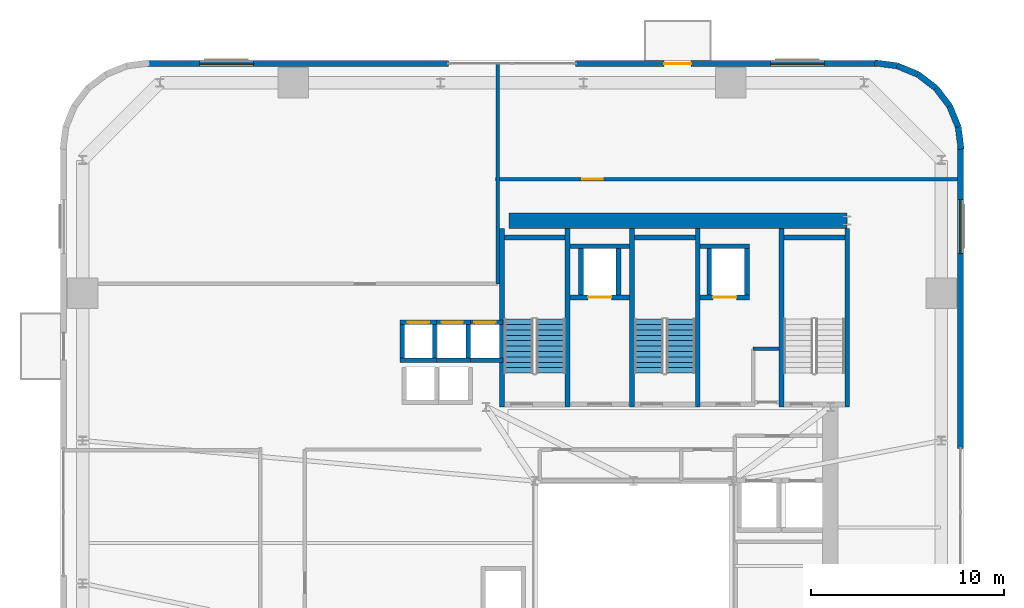
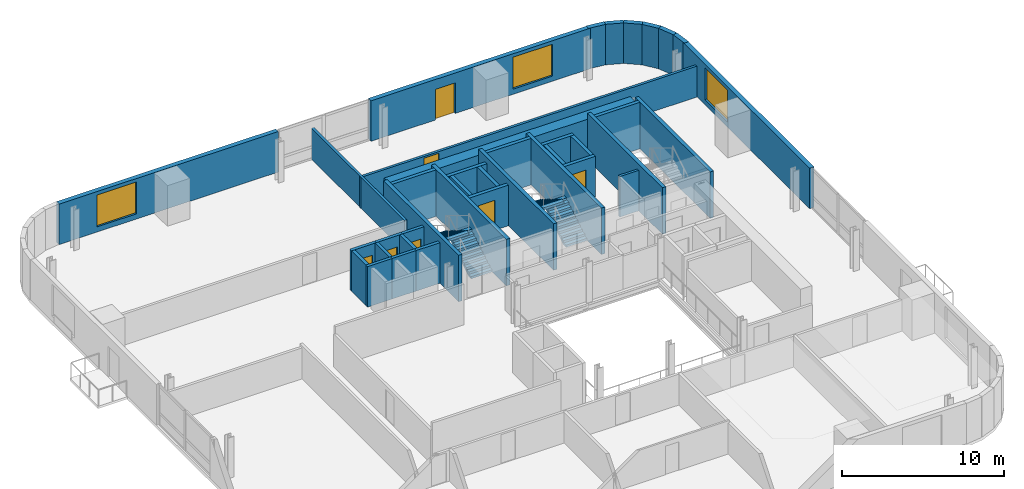
# One storey, part 8 of 14: 39 walls, 7 doors, 4 stair flights, 3 windows, 10 openings, 2 elements without a shape of their own.
"""IFC4 building model written with IfcOpenShell, lengths in metres."""

from ifc_helpers import new_model, si_unit, direction, frame, frame_2d, origin, place, context, subcontext, project, spatial, polyline, rectangle, outline, extrude, source, transform, mapped, material, layer, layer_set, type_object, element, fill, aggregate, save


model = new_model("IFC4")

# Units and contexts
model_context = context("Model", 3, precision=1e-05, world=origin(), true_north=direction((0.0, 1.0)))
body_context = subcontext(model_context, "Body", "Model", "MODEL_VIEW")
ifc_project = project(units=[si_unit("LENGTHUNIT", "METRE"), si_unit("AREAUNIT", "SQUARE_METRE"), si_unit("VOLUMEUNIT", "CUBIC_METRE"), si_unit("PLANEANGLEUNIT", "RADIAN"), si_unit("MASSUNIT", "GRAM", prefix="KILO")], contexts=[model_context])

# Site, building, storey
site_placement = place(None, origin())
site = spatial("IfcSite", under=ifc_project, at=site_placement, CompositionType="ELEMENT")
building_placement = place(site_placement, origin())
building = spatial("IfcBuilding", under=site, at=building_placement, Name="Vardaveli Station Tower", CompositionType="ELEMENT")
storey_placement = place(building_placement, frame((0.0, 0.0, 163.10009765625)))
storey = spatial("IfcBuildingStorey", under=building, at=storey_placement, Name="L42", CompositionType="ELEMENT", Elevation=163.10009765625)

# Wall
ifc_material_1 = material(Name="Concrete C50/60", Category="concrete")
ifc_layer_1 = layer(ifc_material_1, 0.800048828125, Name="Concrete C50/60")
ifc_layer_set_1 = layer_set([ifc_layer_1], Name="Concrete C50/60")
wall_type_1 = type_object("IfcWallType", Name="WAL-CORE-800", PredefinedType="SHEAR", material=ifc_layer_set_1)
shared_shape_1 = source(origin(), body_context, "Body", "SweptSolid", [
    extrude(rectangle(XDim=17.52001953125, YDim=0.800048828125, at=frame_2d((8.760009765625, 0.0))), origin(), (0.0, 0.0, 1.0), 3.0498046875),
])
wall_1_placement = place(storey_placement, frame((29.85009765625, 40.300048828125, 0.0), z_axis=(0.0, 0.0, 1.0), x_axis=(1.0, 0.0, 0.0)))
element("IfcWall", 1, at=wall_1_placement, inside=storey, type_object=wall_type_1, Name="SW-L42-NORTH", PredefinedType="SHEAR", context=body_context, shape_type="MappedRepresentation", body=[
    mapped(shared_shape_1, transform((0.0, 0.0, 0.0), scale=1.0)),
])

# Wall, openings, door, window
ifc_material_2 = material(Name="Precast concrete C45/55", Category="concrete")
ifc_layer_2 = layer(ifc_material_2, 0.320068359375, Name="Precast concrete C45/55")
ifc_layer_set_2 = layer_set([ifc_layer_2], Name="Precast concrete C45/55")
wall_type_2 = type_object("IfcWallType", Name="WAL-EXT-STONE-320", PredefinedType="SOLIDWALL", material=ifc_layer_set_2)
shared_shape_2 = source(origin(), body_context, "Body", "SweptSolid", [
    extrude(rectangle(XDim=15.599853515625, YDim=0.320068359375, at=frame_2d((7.7998046875, 0.0))), origin(), (0.0, 0.0, 1.0), 3.0498046875),
])
wall_2_placement = place(storey_placement, frame((48.89990234375, 48.43994140625, 0.0), z_axis=(0.0, 0.0, 1.0), x_axis=(-1.0, 0.0, 0.0)))
wall_2 = element("IfcWall", 2, at=wall_2_placement, inside=storey, type_object=wall_type_2, Name="EW-L42-N1", PredefinedType="SOLIDWALL", context=body_context, shape_type="MappedRepresentation", body=[
    mapped(shared_shape_2, transform((0.0, 0.0, 0.0), scale=1.0)),
])
shared_shape_3 = source(origin(), body_context, "Body", "SweptSolid", [
    extrude(rectangle(XDim=1.39990234375, YDim=2.300048828125, at=frame_2d((0.699951171875, 1.14990234375))), frame((0.0, 0.169921875, 0.0), z_axis=(0.0, -1.0, 0.0), x_axis=(1.0, 0.0, 0.0)), (0.0, 0.0, 1.0), 0.340087890625),
])
opening_1_placement = place(wall_2_placement, frame((9.6103515625, 0.0, 0.0)))
opening_1 = element("IfcOpeningElement", 3, at=opening_1_placement, cuts=wall_2, Name="Opening D-09", PredefinedType="OPENING", context=body_context, shape_type="MappedRepresentation", body=[
    mapped(shared_shape_3, transform((0.0, 0.0, 0.0), scale=1.0)),
])
shared_shape_4 = source(origin(), body_context, "Body", "SweptSolid", [
    extrude(rectangle(XDim=2.800048828125, YDim=2.39990234375, at=frame_2d((1.39990234375, 1.199951171875))), frame((0.0, 0.169921875, 0.0), z_axis=(0.0, -1.0, 0.0), x_axis=(1.0, 0.0, 0.0)), (0.0, 0.0, 1.0), 0.340087890625),
])
opening_2_placement = place(wall_2_placement, frame((2.705078125, 0.0, 0.389892578125)))
opening_2 = element("IfcOpeningElement", 4, at=opening_2_placement, cuts=wall_2, Name="Opening W-04", PredefinedType="OPENING", context=body_context, shape_type="MappedRepresentation", body=[
    mapped(shared_shape_4, transform((0.0, 0.0, 0.0), scale=1.0)),
])
ifc_material_3 = material(Name="Thermally broken aluminium glass", Category="aluminium")
door_type_1 = type_object("IfcDoorType", Name="DR-LOG-1400x2300", OperationType="DOUBLE_DOOR_SLIDING", PredefinedType="DOOR", material=ifc_material_3)
shared_shape_5 = source(origin(), body_context, "Body", "SweptSolid", [
    extrude(rectangle(XDim=1.39990234375, YDim=2.300048828125, at=frame_2d((0.699951171875, 1.14990234375))), frame((0.0, 0.02490234375, 0.0), z_axis=(0.0, -1.0, 0.0), x_axis=(1.0, 0.0, 0.0)), (0.0, 0.0, 1.0), 0.050048828125),
])
door_1_placement = place(opening_1_placement, frame((1.39990234375, 0.0, 0.0), z_axis=(0.0, 0.0, 1.0), x_axis=(-1.0, 0.0, 0.0)))
door_1 = element("IfcDoor", 5, at=door_1_placement, inside=storey, type_object=door_type_1, Name="DLG-L42-N", OperationType="DOUBLE_DOOR_SLIDING", OverallHeight=2.300048828125, OverallWidth=1.39990234375, PredefinedType="DOOR", context=body_context, shape_type="MappedRepresentation", body=[
    mapped(shared_shape_5, transform((0.0, 0.0, 0.0), scale=1.0)),
])
fill(opening_1, door_1)
ifc_material_4 = material(Name="Low-E solar-control glass", Category="glass")
window_type = type_object("IfcWindowType", Name="WIN-SUITE-2800x2400", PartitioningType="SINGLE_PANEL", PredefinedType="WINDOW", material=ifc_material_4)
shared_shape_6 = source(origin(), body_context, "Body", "SweptSolid", [
    extrude(rectangle(XDim=2.800048828125, YDim=2.39990234375, at=frame_2d((1.39990234375, 1.199951171875))), frame((0.0, 0.030029296875, 0.0), z_axis=(0.0, -1.0, 0.0), x_axis=(1.0, 0.0, 0.0)), (0.0, 0.0, 1.0), 0.06005859375),
])
window_1_placement = place(opening_2_placement, origin())
window_1 = element("IfcWindow", 6, at=window_1_placement, inside=storey, type_object=window_type, Name="WN-L42-N1", OverallHeight=2.39990234375, OverallWidth=2.800048828125, PartitioningType="SINGLE_PANEL", PredefinedType="WINDOW", context=body_context, shape_type="MappedRepresentation", body=[
    mapped(shared_shape_6, transform((0.0, 0.0, 0.0), scale=1.0)),
])
fill(opening_2, window_1)

# Wall, opening, window
wall_3_placement = place(storey_placement, frame((26.699951171875, 48.43994140625, 0.0), z_axis=(0.0, 0.0, 1.0), x_axis=(-1.0, 0.0, 0.0)))
wall_3 = element("IfcWall", 7, at=wall_3_placement, inside=storey, type_object=wall_type_2, Name="EW-L42-N2", PredefinedType="SOLIDWALL", context=body_context, shape_type="MappedRepresentation", body=[
    mapped(shared_shape_2, transform((0.0, 0.0, 0.0), scale=1.0)),
])
opening_3_placement = place(wall_3_placement, frame((10.094970703125, 0.0, 0.389892578125)))
opening_3 = element("IfcOpeningElement", 8, at=opening_3_placement, cuts=wall_3, Name="Opening W-04", PredefinedType="OPENING", context=body_context, shape_type="MappedRepresentation", body=[
    mapped(shared_shape_4, transform((0.0, 0.0, 0.0), scale=1.0)),
])
window_2_placement = place(opening_3_placement, origin())
window_2 = element("IfcWindow", 9, at=window_2_placement, inside=storey, type_object=window_type, Name="WN-L42-N2", OverallHeight=2.39990234375, OverallWidth=2.800048828125, PartitioningType="SINGLE_PANEL", PredefinedType="WINDOW", context=body_context, shape_type="MappedRepresentation", body=[
    mapped(shared_shape_6, transform((0.0, 0.0, 0.0), scale=1.0)),
])
fill(opening_3, window_2)

shared_shape_7 = source(origin(), body_context, "Body", "SweptSolid", [
    extrude(rectangle(XDim=15.60009765625, YDim=0.320068359375, at=frame_2d((7.800048828125, 0.0))), origin(), (0.0, 0.0, 1.0), 3.0498046875),
])
wall_4_placement = place(storey_placement, frame((53.239990234375, 28.5, 0.0), z_axis=(0.0, 0.0, 1.0), x_axis=(0.0, 1.0, 0.0)))
wall_4 = element("IfcWall", 10, at=wall_4_placement, inside=storey, type_object=wall_type_2, Name="EW-L42-E2", PredefinedType="SOLIDWALL", context=body_context, shape_type="MappedRepresentation", body=[
    mapped(shared_shape_7, transform((0.0, 0.0, 0.0), scale=1.0)),
])
opening_4_placement = place(wall_4_placement, frame((10.094970703125, 0.0, 0.389892578125)))
opening_4 = element("IfcOpeningElement", 11, at=opening_4_placement, cuts=wall_4, Name="Opening W-04", PredefinedType="OPENING", context=body_context, shape_type="MappedRepresentation", body=[
    mapped(shared_shape_4, transform((0.0, 0.0, 0.0), scale=1.0)),
])
window_3_placement = place(opening_4_placement, origin())
window_3 = element("IfcWindow", 12, at=window_3_placement, inside=storey, type_object=window_type, Name="WN-L42-E2", OverallHeight=2.39990234375, OverallWidth=2.800048828125, PartitioningType="SINGLE_PANEL", PredefinedType="WINDOW", context=body_context, shape_type="MappedRepresentation", body=[
    mapped(shared_shape_6, transform((0.0, 0.0, 0.0), scale=1.0)),
])
fill(opening_4, window_3)

# Walls
shared_shape_8 = source(origin(), body_context, "Body", "SweptSolid", [
    extrude(rectangle(XDim=1.1689453125, YDim=0.320068359375, at=frame_2d((0.58447265625, 0.0))), origin(), (0.0, 0.0, 1.0), 3.0498046875),
])
wall_5_placement = place(storey_placement, frame((52.679931640625, 46.2412109375, 0.0), z_axis=(0.0, 0.0, 1.0), x_axis=(-0.608387696831, 0.793639975269, 0.0)))
element("IfcWall", 13, at=wall_5_placement, inside=storey, type_object=wall_type_2, Name="EW-L42-CR3-3", PredefinedType="SOLIDWALL", context=body_context, shape_type="MappedRepresentation", body=[
    mapped(shared_shape_8, transform((0.0, 0.0, 0.0), scale=1.0)),
])
shared_shape_9 = source(origin(), body_context, "Body", "SweptSolid", [
    extrude(rectangle(XDim=1.168701171875, YDim=0.320068359375, at=frame_2d((0.58447265625, 0.0))), origin(), (0.0, 0.0, 1.0), 3.0498046875),
])
wall_6_placement = place(storey_placement, frame((51.96875, 47.1689453125, 0.0), z_axis=(0.0, 0.0, 1.0), x_axis=(-0.793663520347, 0.608356981114, 0.0)))
element("IfcWall", 14, at=wall_6_placement, inside=storey, type_object=wall_type_2, Name="EW-L42-CR3-4", PredefinedType="SOLIDWALL", context=body_context, shape_type="MappedRepresentation", body=[
    mapped(shared_shape_9, transform((0.0, 0.0, 0.0), scale=1.0)),
])
shared_shape_10 = source(origin(), body_context, "Body", "SweptSolid", [
    extrude(rectangle(XDim=1.17041015625, YDim=0.320068359375, at=frame_2d((0.585205078125, 0.0))), origin(), (0.0, 0.0, 1.0), 3.0498046875),
])
for number, where, z_axis, x_axis, name in (
    (15, (53.275634765625, 43.99951171875, 0.0), (0.0, 0.0, 1.0), (-0.128295670475, 0.991735963317, 0.0), "EW-L42-CR3-1"),
    (16, (49.960205078125, 48.325439453125, 0.0), (0.0, 0.0, 1.0), (-0.991735963317, 0.128295670475, 0.0), "EW-L42-CR3-6"),
):
    element("IfcWall", number, at=place(storey_placement, frame(where, z_axis=z_axis, x_axis=x_axis)), inside=storey, type_object=wall_type_2, Name=name, PredefinedType="SOLIDWALL", context=body_context, shape_type="MappedRepresentation", body=[
        mapped(shared_shape_10, transform((0.0, 0.0, 0.0), scale=1.0)),
    ])
shared_shape_11 = source(origin(), body_context, "Body", "SweptSolid", [
    extrude(rectangle(XDim=1.169189453125, YDim=0.320068359375, at=frame_2d((0.58447265625, 0.0))), origin(), (0.0, 0.0, 1.0), 3.0498046875),
])
for number, where, z_axis, x_axis, name in (
    (17, (53.12548828125, 45.16015625, 0.0), (0.0, 0.0, 1.0), (-0.381054331552, 0.924552646638, 0.0), "EW-L42-CR3-2"),
    (18, (51.041259765625, 47.8798828125, 0.0), (0.0, 0.0, 1.0), (-0.924552646638, 0.381054331552, 0.0), "EW-L42-CR3-5"),
):
    element("IfcWall", number, at=place(storey_placement, frame(where, z_axis=z_axis, x_axis=x_axis)), inside=storey, type_object=wall_type_2, Name=name, PredefinedType="SOLIDWALL", context=body_context, shape_type="MappedRepresentation", body=[
        mapped(shared_shape_11, transform((0.0, 0.0, 0.0), scale=1.0)),
    ])
ifc_material_5 = material(Name="Concrete C40/50", Category="concrete")
ifc_layer_3 = layer(ifc_material_5, 0.25, Name="Concrete C40/50")
ifc_layer_set_3 = layer_set([ifc_layer_3], Name="Concrete C40/50")
wall_type_3 = type_object("IfcWallType", Name="WAL-SHAFT-250", PredefinedType="SOLIDWALL", material=ifc_layer_set_3)
shared_shape_12 = source(origin(), body_context, "Body", "SweptSolid", [
    extrude(rectangle(XDim=9.25, YDim=0.25, at=frame_2d((4.625, 0.0))), origin(), (0.0, 0.0, 1.0), 3.5),
])
for number, where, z_axis, x_axis, name in (
    (19, (29.47509765625, 30.64990234375, 0.0), (0.0, 0.0, 1.0), (0.0, 1.0, 0.0), "W-L42-ST-1W"),
    (20, (32.875, 30.64990234375, 0.0), (0.0, 0.0, 1.0), (0.0, 1.0, 0.0), "W-L42-ST-1E"),
    (21, (36.22509765625, 30.64990234375, 0.0), (0.0, 0.0, 1.0), (0.0, 1.0, 0.0), "W-L42-ST-2W"),
    (22, (39.625, 30.64990234375, 0.0), (0.0, 0.0, 1.0), (0.0, 1.0, 0.0), "W-L42-ST-2E"),
    (23, (43.97509765625, 30.64990234375, 0.0), (0.0, 0.0, 1.0), (0.0, 1.0, 0.0), "W-L42-ST-3W"),
    (24, (47.375, 30.64990234375, 0.0), (0.0, 0.0, 1.0), (0.0, 1.0, 0.0), "W-L42-ST-3E"),
):
    element("IfcWall", number, at=place(storey_placement, frame(where, z_axis=z_axis, x_axis=x_axis)), inside=storey, type_object=wall_type_3, Name=name, PredefinedType="SOLIDWALL", context=body_context, shape_type="MappedRepresentation", body=[
        mapped(shared_shape_12, transform((0.0, 0.0, 0.0), scale=1.0)),
    ])
shared_shape_13 = source(origin(), body_context, "Body", "SweptSolid", [
    extrude(rectangle(XDim=3.14990234375, YDim=0.25, at=frame_2d((1.574951171875, 0.0))), origin(), (0.0, 0.0, 1.0), 3.5),
])
for number, where, z_axis, x_axis, name in (
    (25, (29.60009765625, 39.425048828125, 0.0), (0.0, 0.0, 1.0), (1.0, 0.0, 0.0), "W-L42-ST-1N"),
    (26, (36.35009765625, 39.425048828125, 0.0), (0.0, 0.0, 1.0), (1.0, 0.0, 0.0), "W-L42-ST-2N"),
    (27, (44.10009765625, 39.425048828125, 0.0), (0.0, 0.0, 1.0), (1.0, 0.0, 0.0), "W-L42-ST-3N"),
):
    element("IfcWall", number, at=place(storey_placement, frame(where, z_axis=z_axis, x_axis=x_axis)), inside=storey, type_object=wall_type_3, Name=name, PredefinedType="SOLIDWALL", context=body_context, shape_type="MappedRepresentation", body=[
        mapped(shared_shape_13, transform((0.0, 0.0, 0.0), scale=1.0)),
    ])
ifc_layer_4 = layer(ifc_material_5, 0.219970703125, Name="Concrete C40/50")
ifc_layer_set_4 = layer_set([ifc_layer_4], Name="Concrete C40/50")
wall_type_4 = type_object("IfcWallType", Name="WAL-FFLOBBY-220", PredefinedType="SOLIDWALL", material=ifc_layer_set_4)
shared_shape_14 = source(origin(), body_context, "Body", "SweptSolid", [
    extrude(rectangle(XDim=1.889892578125, YDim=0.219970703125, at=frame_2d((0.94482421875, 0.0))), origin(), (0.0, 0.0, 1.0), 3.0498046875),
])
wall_7_placement = place(storey_placement, frame((24.205078125, 33.06494140625, 0.0), z_axis=(0.0, 0.0, 1.0), x_axis=(1.0, 0.0, 0.0)))
element("IfcWall", 28, at=wall_7_placement, inside=storey, type_object=wall_type_4, Name="SHW-HL2-01-L42-S", PredefinedType="SOLIDWALL", context=body_context, shape_type="MappedRepresentation", body=[
    mapped(shared_shape_14, transform((0.0, 0.0, 0.0), scale=1.0)),
])

# Wall, opening, door
wall_8_placement = place(storey_placement, frame((24.205078125, 35.034912109375, 0.0), z_axis=(0.0, 0.0, 1.0), x_axis=(1.0, 0.0, 0.0)))
wall_8 = element("IfcWall", 29, at=wall_8_placement, inside=storey, type_object=wall_type_4, Name="SHW-HL2-01-L42-N", PredefinedType="SOLIDWALL", context=body_context, shape_type="MappedRepresentation", body=[
    mapped(shared_shape_14, transform((0.0, 0.0, 0.0), scale=1.0)),
])
shared_shape_15 = source(origin(), body_context, "Body", "SweptSolid", [
    extrude(rectangle(XDim=1.10009765625, YDim=2.199951171875, at=frame_2d((0.550048828125, 1.10009765625))), frame((0.0, 0.1201171875, 0.0), z_axis=(0.0, -1.0, 0.0), x_axis=(1.0, 0.0, 0.0)), (0.0, 0.0, 1.0), 0.239990234375),
])
opening_5_placement = place(wall_8_placement, frame((0.39501953125, 0.0, 0.0)))
opening_5 = element("IfcOpeningElement", 30, at=opening_5_placement, cuts=wall_8, Name="Opening LD-01", PredefinedType="OPENING", context=body_context, shape_type="MappedRepresentation", body=[
    mapped(shared_shape_15, transform((0.0, 0.0, 0.0), scale=1.0)),
])
ifc_material_6 = material(Name="Brushed stainless steel", Category="steel")
door_type_2 = type_object("IfcDoorType", Name="DR-LD-1100x2200", OperationType="DOUBLE_DOOR_SLIDING", PredefinedType="DOOR", material=ifc_material_6)
shared_shape_16 = source(origin(), body_context, "Body", "SweptSolid", [
    extrude(rectangle(XDim=1.10009765625, YDim=2.199951171875, at=frame_2d((0.550048828125, 1.10009765625))), frame((0.0, 0.02490234375, 0.0), z_axis=(0.0, -1.0, 0.0), x_axis=(1.0, 0.0, 0.0)), (0.0, 0.0, 1.0), 0.050048828125),
])
door_2_placement = place(opening_5_placement, origin())
door_2 = element("IfcDoor", 31, at=door_2_placement, inside=storey, type_object=door_type_2, Name="LD-HL2-01-L42", OperationType="DOUBLE_DOOR_SLIDING", OverallHeight=2.199951171875, OverallWidth=1.10009765625, PredefinedType="DOOR", context=body_context, shape_type="MappedRepresentation", body=[
    mapped(shared_shape_16, transform((0.0, 0.0, 0.0), scale=1.0)),
])
fill(opening_5, door_2)

# Wall
wall_9_placement = place(storey_placement, frame((25.955078125, 33.06494140625, 0.0), z_axis=(0.0, 0.0, 1.0), x_axis=(1.0, 0.0, 0.0)))
element("IfcWall", 32, at=wall_9_placement, inside=storey, type_object=wall_type_4, Name="SHW-HL2-02-L42-S", PredefinedType="SOLIDWALL", context=body_context, shape_type="MappedRepresentation", body=[
    mapped(shared_shape_14, transform((0.0, 0.0, 0.0), scale=1.0)),
])

# Wall, opening, door
wall_10_placement = place(storey_placement, frame((25.955078125, 35.034912109375, 0.0), z_axis=(0.0, 0.0, 1.0), x_axis=(1.0, 0.0, 0.0)))
wall_10 = element("IfcWall", 33, at=wall_10_placement, inside=storey, type_object=wall_type_4, Name="SHW-HL2-02-L42-N", PredefinedType="SOLIDWALL", context=body_context, shape_type="MappedRepresentation", body=[
    mapped(shared_shape_14, transform((0.0, 0.0, 0.0), scale=1.0)),
])
opening_6_placement = place(wall_10_placement, frame((0.39501953125, 0.0, 0.0)))
opening_6 = element("IfcOpeningElement", 34, at=opening_6_placement, cuts=wall_10, Name="Opening LD-01", PredefinedType="OPENING", context=body_context, shape_type="MappedRepresentation", body=[
    mapped(shared_shape_15, transform((0.0, 0.0, 0.0), scale=1.0)),
])
door_3_placement = place(opening_6_placement, origin())
door_3 = element("IfcDoor", 35, at=door_3_placement, inside=storey, type_object=door_type_2, Name="LD-HL2-02-L42", OperationType="DOUBLE_DOOR_SLIDING", OverallHeight=2.199951171875, OverallWidth=1.10009765625, PredefinedType="DOOR", context=body_context, shape_type="MappedRepresentation", body=[
    mapped(shared_shape_16, transform((0.0, 0.0, 0.0), scale=1.0)),
])
fill(opening_6, door_3)

# Wall
wall_11_placement = place(storey_placement, frame((27.655029296875, 33.06494140625, 0.0), z_axis=(0.0, 0.0, 1.0), x_axis=(1.0, 0.0, 0.0)))
element("IfcWall", 36, at=wall_11_placement, inside=storey, type_object=wall_type_4, Name="SHW-HL2-03-L42-S", PredefinedType="SOLIDWALL", context=body_context, shape_type="MappedRepresentation", body=[
    mapped(shared_shape_14, transform((0.0, 0.0, 0.0), scale=1.0)),
])

# Wall, opening, door
wall_12_placement = place(storey_placement, frame((27.655029296875, 35.034912109375, 0.0), z_axis=(0.0, 0.0, 1.0), x_axis=(1.0, 0.0, 0.0)))
wall_12 = element("IfcWall", 37, at=wall_12_placement, inside=storey, type_object=wall_type_4, Name="SHW-HL2-03-L42-N", PredefinedType="SOLIDWALL", context=body_context, shape_type="MappedRepresentation", body=[
    mapped(shared_shape_14, transform((0.0, 0.0, 0.0), scale=1.0)),
])
opening_7_placement = place(wall_12_placement, frame((0.39501953125, 0.0, 0.0)))
opening_7 = element("IfcOpeningElement", 38, at=opening_7_placement, cuts=wall_12, Name="Opening LD-01", PredefinedType="OPENING", context=body_context, shape_type="MappedRepresentation", body=[
    mapped(shared_shape_15, transform((0.0, 0.0, 0.0), scale=1.0)),
])
door_4_placement = place(opening_7_placement, origin())
door_4 = element("IfcDoor", 39, at=door_4_placement, inside=storey, type_object=door_type_2, Name="LD-HL2-03-L42", OperationType="DOUBLE_DOOR_SLIDING", OverallHeight=2.199951171875, OverallWidth=1.10009765625, PredefinedType="DOOR", context=body_context, shape_type="MappedRepresentation", body=[
    mapped(shared_shape_16, transform((0.0, 0.0, 0.0), scale=1.0)),
])
fill(opening_7, door_4)

# Walls
shared_shape_17 = source(origin(), body_context, "Body", "SweptSolid", [
    extrude(rectangle(XDim=1.75, YDim=0.219970703125, at=frame_2d((0.875, 0.0))), origin(), (0.0, 0.0, 1.0), 3.0498046875),
])
for number, where, z_axis, x_axis, name in (
    (40, (24.31494140625, 33.175048828125, 0.0), (0.0, 0.0, 1.0), (0.0, 1.0, 0.0), "SHW-HL2-01-L42-W"),
    (41, (25.985107421875, 33.175048828125, 0.0), (0.0, 0.0, 1.0), (0.0, 1.0, 0.0), "SHW-HL2-01-L42-E"),
    (42, (27.735107421875, 33.175048828125, 0.0), (0.0, 0.0, 1.0), (0.0, 1.0, 0.0), "SHW-HL2-02-L42-E"),
):
    element("IfcWall", number, at=place(storey_placement, frame(where, z_axis=z_axis, x_axis=x_axis)), inside=storey, type_object=wall_type_4, Name=name, PredefinedType="SOLIDWALL", context=body_context, shape_type="MappedRepresentation", body=[
        mapped(shared_shape_17, transform((0.0, 0.0, 0.0), scale=1.0)),
    ])

# Wall, opening, door
shared_shape_18 = source(origin(), body_context, "Body", "SweptSolid", [
    extrude(rectangle(XDim=3.10009765625, YDim=0.25, at=frame_2d((1.550048828125, 0.0))), origin(), (0.0, 0.0, 1.0), 3.0498046875),
])
wall_13_placement = place(storey_placement, frame((33.0, 36.324951171875, 0.0), z_axis=(0.0, 0.0, 1.0), x_axis=(1.0, 0.0, 0.0)))
wall_13 = element("IfcWall", 43, at=wall_13_placement, inside=storey, type_object=wall_type_3, Name="SHW-FFL-01-L42-S", PredefinedType="SOLIDWALL", context=body_context, shape_type="MappedRepresentation", body=[
    mapped(shared_shape_18, transform((0.0, 0.0, 0.0), scale=1.0)),
])
shared_shape_19 = source(origin(), body_context, "Body", "SweptSolid", [
    extrude(rectangle(XDim=1.199951171875, YDim=2.25, at=frame_2d((0.60009765625, 1.125))), frame((0.0, 0.135009765625, 0.0), z_axis=(0.0, -1.0, 0.0), x_axis=(1.0, 0.0, 0.0)), (0.0, 0.0, 1.0), 0.27001953125),
])
opening_8_placement = place(wall_13_placement, frame((0.949951171875, 0.0, 0.0)))
opening_8 = element("IfcOpeningElement", 44, at=opening_8_placement, cuts=wall_13, Name="Opening LD-02", PredefinedType="OPENING", context=body_context, shape_type="MappedRepresentation", body=[
    mapped(shared_shape_19, transform((0.0, 0.0, 0.0), scale=1.0)),
])
door_type_3 = type_object("IfcDoorType", Name="DR-LD-1200x2250", OperationType="DOUBLE_DOOR_SLIDING", PredefinedType="DOOR", material=ifc_material_6)
shared_shape_20 = source(origin(), body_context, "Body", "SweptSolid", [
    extrude(rectangle(XDim=1.199951171875, YDim=2.25, at=frame_2d((0.60009765625, 1.125))), frame((0.0, 0.02490234375, 0.0), z_axis=(0.0, -1.0, 0.0), x_axis=(1.0, 0.0, 0.0)), (0.0, 0.0, 1.0), 0.050048828125),
])
door_5_placement = place(opening_8_placement, origin())
door_5 = element("IfcDoor", 45, at=door_5_placement, inside=storey, type_object=door_type_3, Name="LD-FFL-01-L42", OperationType="DOUBLE_DOOR_SLIDING", OverallHeight=2.25, OverallWidth=1.199951171875, PredefinedType="DOOR", context=body_context, shape_type="MappedRepresentation", body=[
    mapped(shared_shape_20, transform((0.0, 0.0, 0.0), scale=1.0)),
])
fill(opening_8, door_5)

# Walls
wall_14_placement = place(storey_placement, frame((33.0, 38.97509765625, 0.0), z_axis=(0.0, 0.0, 1.0), x_axis=(1.0, 0.0, 0.0)))
element("IfcWall", 46, at=wall_14_placement, inside=storey, type_object=wall_type_3, Name="SHW-FFL-01-L42-N", PredefinedType="SOLIDWALL", context=body_context, shape_type="MappedRepresentation", body=[
    mapped(shared_shape_18, transform((0.0, 0.0, 0.0), scale=1.0)),
])
shared_shape_21 = source(origin(), body_context, "Body", "SweptSolid", [
    extrude(rectangle(XDim=2.400146484375, YDim=0.25, at=frame_2d((1.2001953125, 0.0))), origin(), (0.0, 0.0, 1.0), 3.0498046875),
])
for number, where, z_axis, x_axis, name in (
    (47, (33.574951171875, 36.449951171875, 0.0), (0.0, 0.0, 1.0), (0.0, 1.0, 0.0), "SHW-FFL-01-L42-W"),
    (48, (35.52490234375, 36.449951171875, 0.0), (0.0, 0.0, 1.0), (0.0, 1.0, 0.0), "SHW-FFL-01-L42-E"),
    (49, (40.22509765625, 36.449951171875, 0.0), (0.0, 0.0, 1.0), (0.0, 1.0, 0.0), "SHW-FFL-02-L42-W"),
    (50, (42.175048828125, 36.449951171875, 0.0), (0.0, 0.0, 1.0), (0.0, 1.0, 0.0), "SHW-FFL-02-L42-E"),
):
    element("IfcWall", number, at=place(storey_placement, frame(where, z_axis=z_axis, x_axis=x_axis)), inside=storey, type_object=wall_type_3, Name=name, PredefinedType="SOLIDWALL", context=body_context, shape_type="MappedRepresentation", body=[
        mapped(shared_shape_21, transform((0.0, 0.0, 0.0), scale=1.0)),
    ])

# Wall, opening, door
shared_shape_22 = source(origin(), body_context, "Body", "SweptSolid", [
    extrude(rectangle(XDim=2.550048828125, YDim=0.25, at=frame_2d((1.27490234375, 0.0))), origin(), (0.0, 0.0, 1.0), 3.0498046875),
])
wall_15_placement = place(storey_placement, frame((39.75, 36.324951171875, 0.0), z_axis=(0.0, 0.0, 1.0), x_axis=(1.0, 0.0, 0.0)))
wall_15 = element("IfcWall", 51, at=wall_15_placement, inside=storey, type_object=wall_type_3, Name="SHW-FFL-02-L42-S", PredefinedType="SOLIDWALL", context=body_context, shape_type="MappedRepresentation", body=[
    mapped(shared_shape_22, transform((0.0, 0.0, 0.0), scale=1.0)),
])
opening_9_placement = place(wall_15_placement, frame((0.675048828125, 0.0, 0.0)))
opening_9 = element("IfcOpeningElement", 52, at=opening_9_placement, cuts=wall_15, Name="Opening LD-02", PredefinedType="OPENING", context=body_context, shape_type="MappedRepresentation", body=[
    mapped(shared_shape_19, transform((0.0, 0.0, 0.0), scale=1.0)),
])
door_6_placement = place(opening_9_placement, origin())
door_6 = element("IfcDoor", 53, at=door_6_placement, inside=storey, type_object=door_type_3, Name="LD-FFL-02-L42", OperationType="DOUBLE_DOOR_SLIDING", OverallHeight=2.25, OverallWidth=1.199951171875, PredefinedType="DOOR", context=body_context, shape_type="MappedRepresentation", body=[
    mapped(shared_shape_20, transform((0.0, 0.0, 0.0), scale=1.0)),
])
fill(opening_9, door_6)

# Wall
wall_16_placement = place(storey_placement, frame((39.75, 38.97509765625, 0.0), z_axis=(0.0, 0.0, 1.0), x_axis=(1.0, 0.0, 0.0)))
element("IfcWall", 54, at=wall_16_placement, inside=storey, type_object=wall_type_3, Name="SHW-FFL-02-L42-N", PredefinedType="SOLIDWALL", context=body_context, shape_type="MappedRepresentation", body=[
    mapped(shared_shape_22, transform((0.0, 0.0, 0.0), scale=1.0)),
])

# Wall, opening, door
ifc_material_7 = material(Name="Fire-rated gypsum stud partition")
ifc_layer_5 = layer(ifc_material_7, 0.179931640625, Name="Fire-rated gypsum stud partition")
ifc_layer_set_5 = layer_set([ifc_layer_5], Name="Fire-rated gypsum stud partition")
wall_type_5 = type_object("IfcWallType", Name="WAL-CORR-180", PredefinedType="PARTITIONING", material=ifc_layer_set_5)
shared_shape_23 = source(origin(), body_context, "Body", "SweptSolid", [
    extrude(rectangle(XDim=23.927978515625, YDim=0.179931640625, at=frame_2d((11.9638671875, 0.0))), origin(), (0.0, 0.0, 1.0), 2.325927734375),
])
wall_17_placement = place(storey_placement, frame((29.14990234375, 42.449951171875, 0.0), z_axis=(0.0, 0.0, 1.0), x_axis=(1.0, 0.0, 0.0)))
wall_17 = element("IfcWall", 55, at=wall_17_placement, inside=storey, type_object=wall_type_5, Name="W-L42-NPS", PredefinedType="PARTITIONING", context=body_context, shape_type="MappedRepresentation", body=[
    mapped(shared_shape_23, transform((0.0, 0.0, 0.0), scale=1.0)),
])
shared_shape_24 = source(origin(), body_context, "Body", "SweptSolid", [
    extrude(rectangle(XDim=1.050048828125, YDim=2.199951171875, at=frame_2d((0.52490234375, 1.10009765625))), frame((0.0, 0.10009765625, 0.0), z_axis=(0.0, -1.0, 0.0), x_axis=(1.0, 0.0, 0.0)), (0.0, 0.0, 1.0), 0.199951171875),
])
opening_10_placement = place(wall_17_placement, frame((4.5, 0.0, 0.0)))
opening_10 = element("IfcOpeningElement", 56, at=opening_10_placement, cuts=wall_17, Name="Opening D-05", PredefinedType="OPENING", context=body_context, shape_type="MappedRepresentation", body=[
    mapped(shared_shape_24, transform((0.0, 0.0, 0.0), scale=1.0)),
])
ifc_material_8 = material(Name="Walnut veneer acoustic fire door")
door_type_4 = type_object("IfcDoorType", Name="DR-SUITE-1050x2200", OperationType="NOTDEFINED", PredefinedType="DOOR", material=ifc_material_8)
shared_shape_25 = source(origin(), body_context, "Body", "SweptSolid", [
    extrude(rectangle(XDim=1.050048828125, YDim=2.199951171875, at=frame_2d((0.52490234375, 1.10009765625))), frame((0.0, 0.02490234375, 0.0), z_axis=(0.0, -1.0, 0.0), x_axis=(1.0, 0.0, 0.0)), (0.0, 0.0, 1.0), 0.050048828125),
])
door_7_placement = place(opening_10_placement, origin())
door_7 = element("IfcDoor", 57, at=door_7_placement, inside=storey, type_object=door_type_4, Name="D-L42-NP1", OperationType="SINGLE_SWING_LEFT", OverallHeight=2.199951171875, OverallWidth=1.050048828125, PredefinedType="DOOR", context=body_context, shape_type="MappedRepresentation", body=[
    mapped(shared_shape_25, transform((0.0, 0.0, 0.0), scale=1.0)),
])
fill(opening_10, door_7)

# Walls
shared_shape_26 = source(origin(), body_context, "Body", "SweptSolid", [
    extrude(rectangle(XDim=11.449951171875, YDim=0.179931640625, at=frame_2d((5.72509765625, 0.0))), origin(), (0.0, 0.0, 1.0), 2.325927734375),
])
wall_18_placement = place(storey_placement, frame((29.25, 37.02001953125, 0.0), z_axis=(0.0, 0.0, 1.0), x_axis=(0.0, 1.0, 0.0)))
element("IfcWall", 58, at=wall_18_placement, inside=storey, type_object=wall_type_5, Name="W-L42-CNWE", PredefinedType="PARTITIONING", context=body_context, shape_type="MappedRepresentation", body=[
    mapped(shared_shape_26, transform((0.0, 0.0, 0.0), scale=1.0)),
])
shared_shape_27 = source(origin(), body_context, "Body", "SweptSolid", [
    extrude(rectangle(XDim=1.347900390625, YDim=0.179931640625, at=frame_2d((0.673828125, 0.0))), origin(), (0.0, 0.0, 1.0), 3.0498046875),
])
wall_19_placement = place(storey_placement, frame((42.5, 33.64990234375, 0.0), z_axis=(0.0, 0.0, 1.0), x_axis=(1.0, 0.0, 0.0)))
element("IfcWall", 59, at=wall_19_placement, inside=storey, type_object=wall_type_5, Name="W-L42-CBS0-N", PredefinedType="PARTITIONING", context=body_context, shape_type="MappedRepresentation", body=[
    mapped(shared_shape_27, transform((0.0, 0.0, 0.0), scale=1.0)),
])

# Stair, stair flights
stair_type = type_object("IfcStairType", Name="STR-CORE-1500", PredefinedType="HALF_TURN_STAIR", material=ifc_material_5)
stair_1_placement = place(storey_placement, origin())
stair_1 = element("IfcStair", 60, at=stair_1_placement, inside=storey, type_object=stair_type, Name="L42 ST-1", PredefinedType="HALF_TURN_STAIR")
stair_flight_type = type_object("IfcStairFlightType", Name="SFL-CORE-1500", PredefinedType="STRAIGHT", material=ifc_material_5)
shared_shape_28 = source(origin(), body_context, "Body", "SweptSolid", [
    extrude(outline(polyline([(0.0, 0.0), (0.0, 0.168212890625), (0.280029296875, 0.168212890625), (0.280029296875, 0.33642578125), (0.56005859375, 0.33642578125), (0.56005859375, 0.504638671875), (0.840087890625, 0.504638671875), (0.840087890625, 0.672607421875), (1.1201171875, 0.672607421875), (1.1201171875, 0.8408203125), (1.39990234375, 0.8408203125), (1.39990234375, 1.009033203125), (1.679931640625, 1.009033203125), (1.679931640625, 1.17724609375), (1.9599609375, 1.17724609375), (1.9599609375, 1.345458984375), (2.239990234375, 1.345458984375), (2.239990234375, 1.513671875), (2.52001953125, 1.513671875), (2.52001953125, 1.681884765625), (2.800048828125, 1.681884765625), (2.800048828125, 1.85009765625), (2.800048828125, 1.5068359375), (0.291015625, 0.0), (0.0, 0.0)])), frame((0.0, 0.75, 0.0), z_axis=(0.0, -1.0, 0.0), x_axis=(1.0, 0.0, 0.0)), (0.0, 0.0, 1.0), 1.5),
])
stair_flight_1_placement = place(storey_placement, frame((32.0, 32.39990234375, 0.0), z_axis=(0.0, 0.0, 1.0), x_axis=(0.0, 1.0, 0.0)))
stair_flight_1 = element("IfcStairFlight", 61, at=stair_flight_1_placement, type_object=stair_flight_type, Name="ST-1 flight 1", NumberOfRisers=11, NumberOfTreads=10, PredefinedType="STRAIGHT", RiserHeight=0.168181818, TreadLength=0.28, context=body_context, shape_type="MappedRepresentation", body=[
    mapped(shared_shape_28, transform((0.0, 0.0, 0.0), scale=1.0)),
])
stair_flight_2_placement = place(storey_placement, frame((30.35009765625, 35.199951171875, 1.849853515625), z_axis=(0.0, 0.0, 1.0), x_axis=(0.0, -1.0, 0.0)))
stair_flight_2 = element("IfcStairFlight", 62, at=stair_flight_2_placement, type_object=stair_flight_type, Name="ST-1 flight 2", NumberOfRisers=11, NumberOfTreads=10, PredefinedType="STRAIGHT", RiserHeight=0.168181818, TreadLength=0.28, context=body_context, shape_type="MappedRepresentation", body=[
    mapped(shared_shape_28, transform((0.0, 0.0, 0.0), scale=1.0)),
])
aggregate(stair_1, [stair_flight_1, stair_flight_2])

stair_2_placement = place(storey_placement, origin())
stair_2 = element("IfcStair", 63, at=stair_2_placement, inside=storey, type_object=stair_type, Name="L42 ST-2", PredefinedType="HALF_TURN_STAIR")
stair_flight_3_placement = place(storey_placement, frame((38.75, 32.39990234375, 0.0), z_axis=(0.0, 0.0, 1.0), x_axis=(0.0, 1.0, 0.0)))
stair_flight_3 = element("IfcStairFlight", 64, at=stair_flight_3_placement, type_object=stair_flight_type, Name="ST-2 flight 1", NumberOfRisers=11, NumberOfTreads=10, PredefinedType="STRAIGHT", RiserHeight=0.168181818, TreadLength=0.28, context=body_context, shape_type="MappedRepresentation", body=[
    mapped(shared_shape_28, transform((0.0, 0.0, 0.0), scale=1.0)),
])
stair_flight_4_placement = place(storey_placement, frame((37.10009765625, 35.199951171875, 1.849853515625), z_axis=(0.0, 0.0, 1.0), x_axis=(0.0, -1.0, 0.0)))
stair_flight_4 = element("IfcStairFlight", 65, at=stair_flight_4_placement, type_object=stair_flight_type, Name="ST-2 flight 2", NumberOfRisers=11, NumberOfTreads=10, PredefinedType="STRAIGHT", RiserHeight=0.168181818, TreadLength=0.28, context=body_context, shape_type="MappedRepresentation", body=[
    mapped(shared_shape_28, transform((0.0, 0.0, 0.0), scale=1.0)),
])
aggregate(stair_2, [stair_flight_3, stair_flight_4])

save(model, "model.ifc")
